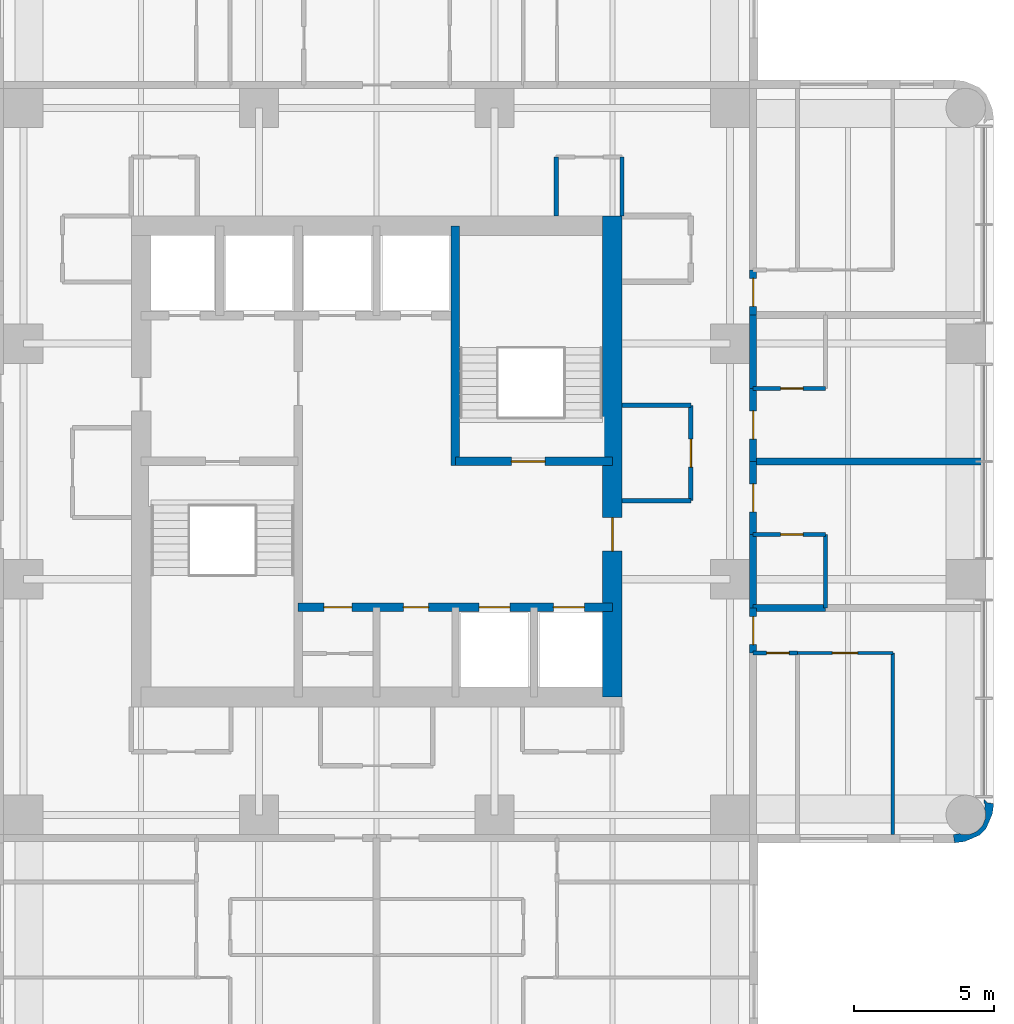
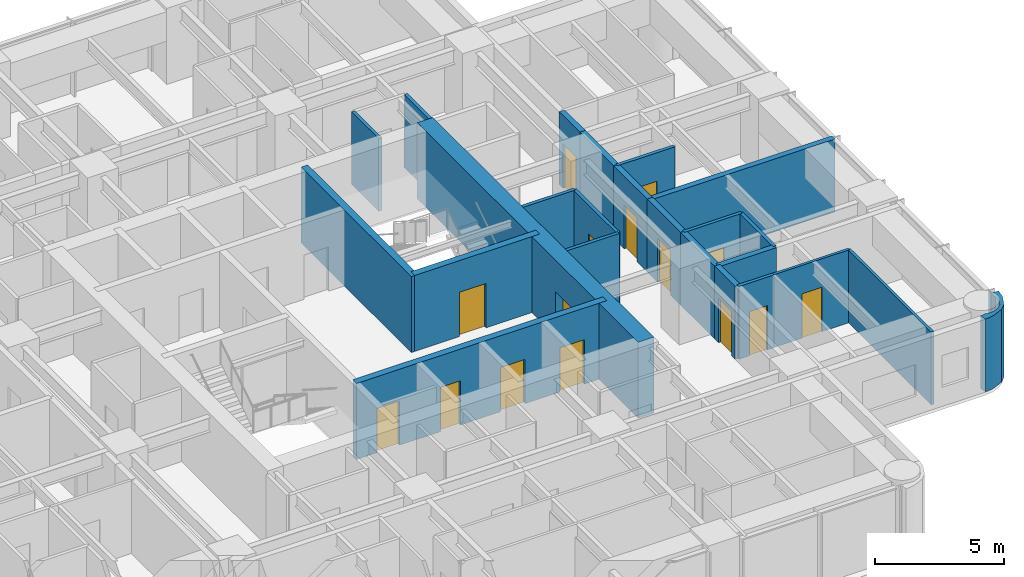
# One storey, part 8 of 12: 24 walls, 15 doors, 15 openings.
"""IFC4 building model written with IfcOpenShell, lengths in metres."""

from ifc_helpers import new_model, si_unit, direction, frame, frame_2d, origin, place, context, subcontext, project, spatial, polyline, rectangle, outline, extrude, material, layer, layer_set, type_object, element, fill, save


model = new_model("IFC4")

# Units and contexts
model_context = context("Model", 3, precision=1e-05, world=origin(), true_north=direction((0.0, 1.0)))
body_context = subcontext(model_context, "Body", "Model", "MODEL_VIEW")
ifc_project = project(units=[si_unit("LENGTHUNIT", "METRE"), si_unit("AREAUNIT", "SQUARE_METRE"), si_unit("VOLUMEUNIT", "CUBIC_METRE"), si_unit("PLANEANGLEUNIT", "RADIAN"), si_unit("MASSUNIT", "GRAM", prefix="KILO")], contexts=[model_context])

# Site, building, storey
site_placement = place(None, origin())
site = spatial("IfcSite", under=ifc_project, at=site_placement, CompositionType="ELEMENT")
building_placement = place(site_placement, origin())
building = spatial("IfcBuilding", under=site, at=building_placement, Name="Torre Alcanfor", CompositionType="ELEMENT")
storey_placement = place(building_placement, frame((0.0, 0.0, 226.5)))
storey = spatial("IfcBuildingStorey", under=building, at=storey_placement, Name="L59", CompositionType="ELEMENT", Elevation=226.5)

# Wall, opening, door
ifc_material_1 = material(Name="Concrete block masonry, hollow blocks NMX-C-404 9 MPa", Category="masonry")
ifc_layer_1 = layer(ifc_material_1, 0.25)
ifc_layer_set_1 = layer_set([ifc_layer_1], Name="Apartment entrance wall 250 EI 60")
wall_type_1 = type_object("IfcWallType", Name="Apartment entrance wall 250 EI 60", PredefinedType="PARTITIONING", material=ifc_layer_set_1)
wall_1_placement = place(storey_placement, frame((42.824951171875, 32.0, 0.0), z_axis=(0.0, 0.0, 1.0), x_axis=(0.0, -1.0, 0.0)))
wall_1 = element("IfcWall", 1, at=wall_1_placement, inside=storey, type_object=wall_type_1, Name="Partition L59-CORR / L59-E1A-STUDIO", PredefinedType="PARTITIONING", context=body_context, shape_type="SweptSolid", body=[
    extrude(rectangle(XDim=2.60009765625, YDim=0.25, at=frame_2d((1.300048828125, 0.0))), origin(), (0.0, 0.0, 1.0), 3.449951171875),
])
opening_1_placement = place(wall_1_placement, frame((0.800048828125, 0.0, 0.0)))
opening_1 = element("IfcOpeningElement", 2, at=opening_1_placement, cuts=wall_1, Name="Opening D-A1", PredefinedType="OPENING", context=body_context, shape_type="SweptSolid", body=[
    extrude(rectangle(XDim=1.0, YDim=2.10009765625, at=frame_2d((0.5, 1.050048828125))), frame((0.0, 0.135009765625, 0.0), z_axis=(0.0, -1.0, 0.0), x_axis=(1.0, 0.0, 0.0)), (0.0, 0.0, 1.0), 0.27001953125),
])
ifc_material_2 = material(Name="Galvanised steel sheet ASTM A653", Category="steel")
door_type_1 = type_object("IfcDoorType", Name="Apartment entrance door FD60 1000x2100", OperationType="SINGLE_SWING_LEFT", PredefinedType="DOOR", material=ifc_material_2)
door_1_placement = place(opening_1_placement, origin())
door_1 = element("IfcDoor", 3, at=door_1_placement, inside=storey, type_object=door_type_1, Name="Apartment entrance L59-E1A", OperationType="SINGLE_SWING_LEFT", OverallHeight=2.10009765625, OverallWidth=1.0, PredefinedType="DOOR", context=body_context, shape_type="SweptSolid", body=[
    extrude(rectangle(XDim=1.0, YDim=2.10009765625, at=frame_2d((0.5, 1.050048828125))), frame((0.0, 0.02490234375, 0.0), z_axis=(0.0, -1.0, 0.0), x_axis=(1.0, 0.0, 0.0)), (0.0, 0.0, 1.0), 0.050048828125),
])
fill(opening_1, door_1)

# Wall
wall_2_placement = place(storey_placement, frame((42.824951171875, 34.62890625, 0.0), z_axis=(0.0, 0.0, 1.0), x_axis=(0.0, -1.0, 0.0)))
element("IfcWall", 4, at=wall_2_placement, inside=storey, type_object=wall_type_1, Name="Partition L59-CORR / L59-E1A-BATH", PredefinedType="PARTITIONING", context=body_context, shape_type="SweptSolid", body=[
    extrude(rectangle(XDim=2.62890625, YDim=0.25, at=frame_2d((1.314453125, 0.0))), origin(), (0.0, 0.0, 1.0), 3.449951171875),
])

# Wall, opening, door
wall_3_placement = place(storey_placement, frame((42.824951171875, 36.22900390625, 0.0), z_axis=(0.0, 0.0, 1.0), x_axis=(0.0, -1.0, 0.0)))
wall_3 = element("IfcWall", 5, at=wall_3_placement, inside=storey, type_object=wall_type_1, Name="Partition L59-CORR / L59-E1B-LIVING", PredefinedType="PARTITIONING", context=body_context, shape_type="SweptSolid", body=[
    extrude(rectangle(XDim=1.60009765625, YDim=0.25, at=frame_2d((0.800048828125, 0.0))), origin(), (0.0, 0.0, 1.0), 3.449951171875),
])
opening_2_placement = place(wall_3_placement, frame((0.300048828125, 0.0, 0.0)))
opening_2 = element("IfcOpeningElement", 6, at=opening_2_placement, cuts=wall_3, Name="Opening D-A1", PredefinedType="OPENING", context=body_context, shape_type="SweptSolid", body=[
    extrude(rectangle(XDim=1.0, YDim=2.10009765625, at=frame_2d((0.5, 1.050048828125))), frame((0.0, 0.135009765625, 0.0), z_axis=(0.0, -1.0, 0.0), x_axis=(1.0, 0.0, 0.0)), (0.0, 0.0, 1.0), 0.27001953125),
])
door_2_placement = place(opening_2_placement, origin())
door_2 = element("IfcDoor", 7, at=door_2_placement, inside=storey, type_object=door_type_1, Name="Apartment entrance L59-E1B", OperationType="SINGLE_SWING_LEFT", OverallHeight=2.10009765625, OverallWidth=1.0, PredefinedType="DOOR", context=body_context, shape_type="SweptSolid", body=[
    extrude(rectangle(XDim=1.0, YDim=2.10009765625, at=frame_2d((0.5, 1.050048828125))), frame((0.0, 0.02490234375, 0.0), z_axis=(0.0, -1.0, 0.0), x_axis=(1.0, 0.0, 0.0)), (0.0, 0.0, 1.0), 0.050048828125),
])
fill(opening_2, door_2)

wall_4_placement = place(storey_placement, frame((42.824951171875, 29.39990234375, 0.0), z_axis=(0.0, 0.0, 1.0), x_axis=(0.0, -1.0, 0.0)))
wall_4 = element("IfcWall", 8, at=wall_4_placement, inside=storey, type_object=wall_type_1, Name="Partition L59-CORR / L59-E2A-STUDIO", PredefinedType="PARTITIONING", context=body_context, shape_type="SweptSolid", body=[
    extrude(rectangle(XDim=2.599853515625, YDim=0.25, at=frame_2d((1.2998046875, 0.0))), origin(), (0.0, 0.0, 1.0), 3.449951171875),
])
opening_3_placement = place(wall_4_placement, frame((0.800048828125, 0.0, 0.0)))
opening_3 = element("IfcOpeningElement", 9, at=opening_3_placement, cuts=wall_4, Name="Opening D-A1", PredefinedType="OPENING", context=body_context, shape_type="SweptSolid", body=[
    extrude(rectangle(XDim=1.0, YDim=2.10009765625, at=frame_2d((0.5, 1.050048828125))), frame((0.0, 0.135009765625, 0.0), z_axis=(0.0, -1.0, 0.0), x_axis=(1.0, 0.0, 0.0)), (0.0, 0.0, 1.0), 0.27001953125),
])
door_3_placement = place(opening_3_placement, origin())
door_3 = element("IfcDoor", 10, at=door_3_placement, inside=storey, type_object=door_type_1, Name="Apartment entrance L59-E2A", OperationType="SINGLE_SWING_LEFT", OverallHeight=2.10009765625, OverallWidth=1.0, PredefinedType="DOOR", context=body_context, shape_type="SweptSolid", body=[
    extrude(rectangle(XDim=1.0, YDim=2.10009765625, at=frame_2d((0.5, 1.050048828125))), frame((0.0, 0.02490234375, 0.0), z_axis=(0.0, -1.0, 0.0), x_axis=(1.0, 0.0, 0.0)), (0.0, 0.0, 1.0), 0.050048828125),
])
fill(opening_3, door_3)

# Wall
wall_5_placement = place(storey_placement, frame((42.824951171875, 26.800048828125, 0.0), z_axis=(0.0, 0.0, 1.0), x_axis=(0.0, -1.0, 0.0)))
element("IfcWall", 11, at=wall_5_placement, inside=storey, type_object=wall_type_1, Name="Partition L59-CORR / L59-E2A-BATH", PredefinedType="PARTITIONING", context=body_context, shape_type="SweptSolid", body=[
    extrude(rectangle(XDim=2.629150390625, YDim=0.25, at=frame_2d((1.314453125, 0.0))), origin(), (0.0, 0.0, 1.0), 3.449951171875),
])

# Wall, opening, door
wall_6_placement = place(storey_placement, frame((42.824951171875, 24.1708984375, 0.0), z_axis=(0.0, 0.0, 1.0), x_axis=(0.0, -1.0, 0.0)))
wall_6 = element("IfcWall", 12, at=wall_6_placement, inside=storey, type_object=wall_type_1, Name="Partition L59-CORR / L59-E2B-LIVING", PredefinedType="PARTITIONING", context=body_context, shape_type="SweptSolid", body=[
    extrude(rectangle(XDim=1.599853515625, YDim=0.25, at=frame_2d((0.7998046875, 0.0))), origin(), (0.0, 0.0, 1.0), 3.449951171875),
])
opening_4_placement = place(wall_6_placement, frame((0.300048828125, 0.0, 0.0)))
opening_4 = element("IfcOpeningElement", 13, at=opening_4_placement, cuts=wall_6, Name="Opening D-A1", PredefinedType="OPENING", context=body_context, shape_type="SweptSolid", body=[
    extrude(rectangle(XDim=1.0, YDim=2.10009765625, at=frame_2d((0.5, 1.050048828125))), frame((0.0, 0.135009765625, 0.0), z_axis=(0.0, -1.0, 0.0), x_axis=(1.0, 0.0, 0.0)), (0.0, 0.0, 1.0), 0.27001953125),
])
door_4_placement = place(opening_4_placement, origin())
door_4 = element("IfcDoor", 14, at=door_4_placement, inside=storey, type_object=door_type_1, Name="Apartment entrance L59-E2B", OperationType="SINGLE_SWING_LEFT", OverallHeight=2.10009765625, OverallWidth=1.0, PredefinedType="DOOR", context=body_context, shape_type="SweptSolid", body=[
    extrude(rectangle(XDim=1.0, YDim=2.10009765625, at=frame_2d((0.5, 1.050048828125))), frame((0.0, 0.02490234375, 0.0), z_axis=(0.0, -1.0, 0.0), x_axis=(1.0, 0.0, 0.0)), (0.0, 0.0, 1.0), 0.050048828125),
])
fill(opening_4, door_4)

# Wall
ifc_material_3 = material(Name="Gypsum board on steel studs", Category="steel")
ifc_layer_2 = layer(ifc_material_3, 0.1201171875)
ifc_layer_set_2 = layer_set([ifc_layer_2], Name="Apartment partition 120")
wall_type_2 = type_object("IfcWallType", Name="Apartment partition 120", PredefinedType="PARTITIONING", material=ifc_layer_set_2)
wall_7_placement = place(storey_placement, frame((47.800048828125, 16.10009765625, 0.0), z_axis=(0.0, 0.0, 1.0), x_axis=(0.0, 1.0, 0.0)))
element("IfcWall", 15, at=wall_7_placement, inside=storey, type_object=wall_type_2, Name="Partition L59-E2B-LIVING / L59-E2B-MASTER", PredefinedType="PARTITIONING", context=body_context, shape_type="SweptSolid", body=[
    extrude(rectangle(XDim=6.470947265625, YDim=0.1201171875, at=frame_2d((3.2353515625, 0.0))), origin(), (0.0, 0.0, 1.0), 3.449951171875),
])

# Wall, opening, door
wall_8_placement = place(storey_placement, frame((47.800048828125, 22.571044921875, 0.0), z_axis=(0.0, 0.0, 1.0), x_axis=(-1.0, 0.0, 0.0)))
wall_8 = element("IfcWall", 16, at=wall_8_placement, inside=storey, type_object=wall_type_2, Name="Partition L59-E2B-LIVING / L59-E2B-MASTER", PredefinedType="PARTITIONING", context=body_context, shape_type="SweptSolid", body=[
    extrude(rectangle(XDim=3.400146484375, YDim=0.1201171875, at=frame_2d((1.7001953125, 0.0))), origin(), (0.0, 0.0, 1.0), 3.449951171875),
])
opening_5_placement = place(wall_8_placement, frame((1.25, 0.0, 0.0)))
opening_5 = element("IfcOpeningElement", 17, at=opening_5_placement, cuts=wall_8, Name="Opening D-R1", PredefinedType="OPENING", context=body_context, shape_type="SweptSolid", body=[
    extrude(rectangle(XDim=0.89990234375, YDim=2.10009765625, at=frame_2d((0.449951171875, 1.050048828125))), frame((0.0, 0.070068359375, 0.0), z_axis=(0.0, -1.0, 0.0), x_axis=(1.0, 0.0, 0.0)), (0.0, 0.0, 1.0), 0.14013671875),
])
ifc_material_4 = material(Name="Timber", Category="wood")
door_type_2 = type_object("IfcDoorType", Name="Internal door 900x2100", OperationType="SINGLE_SWING_LEFT", PredefinedType="DOOR", material=ifc_material_4)
door_5_placement = place(opening_5_placement, origin())
door_5 = element("IfcDoor", 18, at=door_5_placement, inside=storey, type_object=door_type_2, Name="Door L59-E2B master", OperationType="SINGLE_SWING_LEFT", OverallHeight=2.10009765625, OverallWidth=0.89990234375, PredefinedType="DOOR", context=body_context, shape_type="SweptSolid", body=[
    extrude(rectangle(XDim=0.89990234375, YDim=2.10009765625, at=frame_2d((0.449951171875, 1.050048828125))), frame((0.0, 0.02490234375, 0.0), z_axis=(0.0, -1.0, 0.0), x_axis=(1.0, 0.0, 0.0)), (0.0, 0.0, 1.0), 0.050048828125),
])
fill(opening_5, door_5)

# Wall, openings, doors
ifc_material_5 = material(Name="Concrete f'c 70 MPa", Category="concrete")
ifc_layer_3 = layer(ifc_material_5, 0.300048828125)
ifc_layer_set_3 = layer_set([ifc_layer_3], Name="Core inner wall 300 f'c70")
wall_type_3 = type_object("IfcWallType", Name="Core inner wall 300 f'c70", PredefinedType="SHEAR", material=ifc_layer_set_3)
wall_9_placement = place(storey_placement, frame((26.60009765625, 24.199951171875, 0.0), z_axis=(0.0, 0.0, 1.0), x_axis=(1.0, 0.0, 0.0)))
wall_9 = element("IfcWall", 19, at=wall_9_placement, inside=storey, type_object=wall_type_3, Name="Core wall Y242 L59", PredefinedType="SHEAR", context=body_context, shape_type="SweptSolid", body=[
    extrude(rectangle(XDim=11.199951171875, YDim=0.300048828125, at=frame_2d((5.60009765625, 0.0))), origin(), (0.0, 0.0, 1.0), 3.60009765625),
])
opening_6_placement = place(wall_9_placement, frame((0.91259765625, 0.0, 0.0)))
opening_6 = element("IfcOpeningElement", 20, at=opening_6_placement, cuts=wall_9, Name="Opening D-K1", PredefinedType="OPENING", context=body_context, shape_type="SweptSolid", body=[
    extrude(rectangle(XDim=1.0, YDim=2.10009765625, at=frame_2d((0.5, 1.050048828125))), frame((0.0, 0.159912109375, 0.0), z_axis=(0.0, -1.0, 0.0), x_axis=(1.0, 0.0, 0.0)), (0.0, 0.0, 1.0), 0.320068359375),
])
opening_7_placement = place(wall_9_placement, frame((3.75, 0.0, 0.0)))
opening_7 = element("IfcOpeningElement", 21, at=opening_7_placement, cuts=wall_9, Name="Opening D-Q1", PredefinedType="OPENING", context=body_context, shape_type="SweptSolid", body=[
    extrude(rectangle(XDim=0.89990234375, YDim=2.10009765625, at=frame_2d((0.449951171875, 1.050048828125))), frame((0.0, 0.159912109375, 0.0), z_axis=(0.0, -1.0, 0.0), x_axis=(1.0, 0.0, 0.0)), (0.0, 0.0, 1.0), 0.320068359375),
])
opening_8_placement = place(wall_9_placement, frame((6.449951171875, 0.0, 0.0)))
opening_8 = element("IfcOpeningElement", 22, at=opening_8_placement, cuts=wall_9, Name="Opening LD1", PredefinedType="OPENING", context=body_context, shape_type="SweptSolid", body=[
    extrude(rectangle(XDim=1.10009765625, YDim=2.10009765625, at=frame_2d((0.550048828125, 1.050048828125))), frame((0.0, 0.159912109375, 0.0), z_axis=(0.0, -1.0, 0.0), x_axis=(1.0, 0.0, 0.0)), (0.0, 0.0, 1.0), 0.320068359375),
])
opening_9_placement = place(wall_9_placement, frame((9.10009765625, 0.0, 0.0)))
opening_9 = element("IfcOpeningElement", 23, at=opening_9_placement, cuts=wall_9, Name="Opening LD1", PredefinedType="OPENING", context=body_context, shape_type="SweptSolid", body=[
    extrude(rectangle(XDim=1.10009765625, YDim=2.10009765625, at=frame_2d((0.550048828125, 1.050048828125))), frame((0.0, 0.159912109375, 0.0), z_axis=(0.0, -1.0, 0.0), x_axis=(1.0, 0.0, 0.0)), (0.0, 0.0, 1.0), 0.320068359375),
])
ifc_material_6 = material(Name="Galvanised steel sheet ASTM A653", Category="steel")
door_type_3 = type_object("IfcDoorType", Name="Core room door FD60 1000x2100", OperationType="SINGLE_SWING_LEFT", PredefinedType="DOOR", material=ifc_material_6)
door_6_placement = place(opening_6_placement, frame((1.0, 0.0, 0.0), z_axis=(0.0, 0.0, 1.0), x_axis=(-1.0, 0.0, 0.0)))
door_6 = element("IfcDoor", 24, at=door_6_placement, inside=storey, type_object=door_type_3, Name="Residents' storage door L59", OperationType="SINGLE_SWING_RIGHT", OverallHeight=2.10009765625, OverallWidth=1.0, PredefinedType="DOOR", context=body_context, shape_type="SweptSolid", body=[
    extrude(rectangle(XDim=1.0, YDim=2.10009765625, at=frame_2d((0.5, 1.050048828125))), frame((0.0, 0.025146484375, 0.0), z_axis=(0.0, -1.0, 0.0), x_axis=(1.0, 0.0, 0.0)), (0.0, 0.0, 1.0), 0.050048828125),
])
fill(opening_6, door_6)
ifc_material_7 = material(Name="Galvanised steel sheet ASTM A653", Category="steel")
door_type_4 = type_object("IfcDoorType", Name="Lift landing door 1100x2100", OperationType="DOUBLE_DOOR_SLIDING", PredefinedType="DOOR", material=ifc_material_7)
door_7_placement = place(opening_8_placement, origin())
door_7 = element("IfcDoor", 25, at=door_7_placement, inside=storey, type_object=door_type_4, Name="Lift landing door PA3 L59", OperationType="DOUBLE_DOOR_SLIDING", OverallHeight=2.10009765625, OverallWidth=1.10009765625, PredefinedType="DOOR", context=body_context, shape_type="SweptSolid", body=[
    extrude(rectangle(XDim=1.10009765625, YDim=2.10009765625, at=frame_2d((0.550048828125, 1.050048828125))), frame((0.0, 0.02490234375, 0.0), z_axis=(0.0, -1.0, 0.0), x_axis=(1.0, 0.0, 0.0)), (0.0, 0.0, 1.0), 0.050048828125),
])
fill(opening_8, door_7)
door_8_placement = place(opening_9_placement, origin())
door_8 = element("IfcDoor", 26, at=door_8_placement, inside=storey, type_object=door_type_4, Name="Lift landing door PA4 L59", OperationType="DOUBLE_DOOR_SLIDING", OverallHeight=2.10009765625, OverallWidth=1.10009765625, PredefinedType="DOOR", context=body_context, shape_type="SweptSolid", body=[
    extrude(rectangle(XDim=1.10009765625, YDim=2.10009765625, at=frame_2d((0.550048828125, 1.050048828125))), frame((0.0, 0.02490234375, 0.0), z_axis=(0.0, -1.0, 0.0), x_axis=(1.0, 0.0, 0.0)), (0.0, 0.0, 1.0), 0.050048828125),
])
fill(opening_9, door_8)
ifc_material_8 = material(Name="Galvanised steel sheet ASTM A653", Category="steel")
door_type_5 = type_object("IfcDoorType", Name="Riser access door FD120 900x2100", OperationType="SINGLE_SWING_LEFT", PredefinedType="DOOR", material=ifc_material_8)
door_9_placement = place(opening_7_placement, frame((0.89990234375, 0.0, 0.0), z_axis=(0.0, 0.0, 1.0), x_axis=(-1.0, 0.0, 0.0)))
door_9 = element("IfcDoor", 27, at=door_9_placement, inside=storey, type_object=door_type_5, Name="Riser door L59", OperationType="SINGLE_SWING_RIGHT", OverallHeight=2.10009765625, OverallWidth=0.89990234375, PredefinedType="DOOR", context=body_context, shape_type="SweptSolid", body=[
    extrude(rectangle(XDim=0.89990234375, YDim=2.10009765625, at=frame_2d((0.449951171875, 1.050048828125))), frame((0.0, 0.025146484375, 0.0), z_axis=(0.0, -1.0, 0.0), x_axis=(1.0, 0.0, 0.0)), (0.0, 0.0, 1.0), 0.050048828125),
])
fill(opening_7, door_9)

# Wall
wall_10_placement = place(storey_placement, frame((32.199951171875, 29.25, 0.0), z_axis=(0.0, 0.0, 1.0), x_axis=(0.0, 1.0, 0.0)))
element("IfcWall", 28, at=wall_10_placement, inside=storey, type_object=wall_type_3, Name="Core wall X322N L59", PredefinedType="SHEAR", context=body_context, shape_type="SweptSolid", body=[
    extrude(rectangle(XDim=8.550048828125, YDim=0.300048828125, at=frame_2d((4.27490234375, 0.0))), origin(), (0.0, 0.0, 1.0), 3.60009765625),
])

# Wall, opening, door
wall_11_placement = place(storey_placement, frame((32.199951171875, 29.39990234375, 0.0), z_axis=(0.0, 0.0, 1.0), x_axis=(1.0, 0.0, 0.0)))
wall_11 = element("IfcWall", 29, at=wall_11_placement, inside=storey, type_object=wall_type_3, Name="Core wall Y294E L59", PredefinedType="SHEAR", context=body_context, shape_type="SweptSolid", body=[
    extrude(rectangle(XDim=5.60009765625, YDim=0.300048828125, at=frame_2d((2.800048828125, 0.0))), origin(), (0.0, 0.0, 1.0), 3.60009765625),
])
opening_10_placement = place(wall_11_placement, frame((2.0, 0.0, 0.0)))
opening_10 = element("IfcOpeningElement", 30, at=opening_10_placement, cuts=wall_11, Name="Opening D-S2", PredefinedType="OPENING", context=body_context, shape_type="SweptSolid", body=[
    extrude(rectangle(XDim=1.199951171875, YDim=2.10009765625, at=frame_2d((0.60009765625, 1.050048828125))), frame((0.0, 0.159912109375, 0.0), z_axis=(0.0, -1.0, 0.0), x_axis=(1.0, 0.0, 0.0)), (0.0, 0.0, 1.0), 0.320068359375),
])
ifc_material_9 = material(Name="Galvanised steel sheet ASTM A653", Category="steel")
door_type_6 = type_object("IfcDoorType", Name="Stair enclosure door FD120 1200x2100", OperationType="SINGLE_SWING_LEFT", PredefinedType="DOOR", material=ifc_material_9)
door_10_placement = place(opening_10_placement, origin())
door_10 = element("IfcDoor", 31, at=door_10_placement, inside=storey, type_object=door_type_6, Name="Stair S2 door L59", OperationType="SINGLE_SWING_LEFT", OverallHeight=2.10009765625, OverallWidth=1.199951171875, PredefinedType="DOOR", context=body_context, shape_type="SweptSolid", body=[
    extrude(rectangle(XDim=1.199951171875, YDim=2.10009765625, at=frame_2d((0.60009765625, 1.050048828125))), frame((0.0, 0.02490234375, 0.0), z_axis=(0.0, -1.0, 0.0), x_axis=(1.0, 0.0, 0.0)), (0.0, 0.0, 1.0), 0.050048828125),
])
fill(opening_10, door_10)

ifc_material_10 = material(Name="Concrete f'c 70 MPa", Category="concrete")
ifc_layer_4 = layer(ifc_material_10, 0.699951171875)
ifc_layer_set_4 = layer_set([ifc_layer_4], Name="Core wall 700 f'c70")
wall_type_4 = type_object("IfcWallType", Name="Core wall 700 f'c70", PredefinedType="SHEAR", material=ifc_layer_set_4)
wall_12_placement = place(storey_placement, frame((37.800048828125, 21.0, 0.0), z_axis=(0.0, 0.0, 1.0), x_axis=(0.0, 1.0, 0.0)))
wall_12 = element("IfcWall", 32, at=wall_12_placement, inside=storey, type_object=wall_type_4, Name="Core wall OUT-E L59", PredefinedType="SHEAR", context=body_context, shape_type="SweptSolid", body=[
    extrude(rectangle(XDim=17.14990234375, YDim=0.699951171875, at=frame_2d((8.574951171875, 0.0))), origin(), (0.0, 0.0, 1.0), 3.60009765625),
])
opening_11_placement = place(wall_12_placement, frame((5.199951171875, 0.0, 0.0)))
opening_11 = element("IfcOpeningElement", 33, at=opening_11_placement, cuts=wall_12, Name="Opening D-L1", PredefinedType="OPENING", context=body_context, shape_type="SweptSolid", body=[
    extrude(rectangle(XDim=1.199951171875, YDim=2.10009765625, at=frame_2d((0.60009765625, 1.050048828125))), frame((0.0, 0.35986328125, 0.0), z_axis=(0.0, -1.0, 0.0), x_axis=(1.0, 0.0, 0.0)), (0.0, 0.0, 1.0), 0.719970703125),
])
ifc_material_11 = material(Name="Galvanised steel sheet ASTM A653", Category="steel")
door_type_7 = type_object("IfcDoorType", Name="Lobby door FD120 1200x2100", OperationType="SINGLE_SWING_LEFT", PredefinedType="DOOR", material=ifc_material_11)
door_11_placement = place(opening_11_placement, origin())
door_11 = element("IfcDoor", 34, at=door_11_placement, inside=storey, type_object=door_type_7, Name="Lift lobby entrance door L59", OperationType="SINGLE_SWING_LEFT", OverallHeight=2.10009765625, OverallWidth=1.199951171875, PredefinedType="DOOR", context=body_context, shape_type="SweptSolid", body=[
    extrude(rectangle(XDim=1.199951171875, YDim=2.10009765625, at=frame_2d((0.60009765625, 1.050048828125))), frame((0.0, 0.02490234375, 0.0), z_axis=(0.0, -1.0, 0.0), x_axis=(1.0, 0.0, 0.0)), (0.0, 0.0, 1.0), 0.050048828125),
])
fill(opening_11, door_11)

# Walls
ifc_material_12 = material(Name="Concrete block masonry, hollow blocks NMX-C-404 9 MPa", Category="masonry")
ifc_layer_5 = layer(ifc_material_12, 0.25)
ifc_layer_set_5 = layer_set([ifc_layer_5], Name="Party wall 250 EI 60")
wall_type_5 = type_object("IfcWallType", Name="Party wall 250 EI 60", PredefinedType="PARTITIONING", material=ifc_layer_set_5)
wall_13_placement = place(storey_placement, frame((51.050048828125, 29.39990234375, 0.0), z_axis=(0.0, 0.0, 1.0), x_axis=(-1.0, 0.0, 0.0)))
element("IfcWall", 35, at=wall_13_placement, inside=storey, type_object=wall_type_5, Name="Partition L59-E1A-STUDIO / L59-E2A-STUDIO", PredefinedType="PARTITIONING", context=body_context, shape_type="SweptSolid", body=[
    extrude(rectangle(XDim=8.22509765625, YDim=0.25, at=frame_2d((4.112548828125, 0.0))), origin(), (0.0, 0.0, 1.0), 3.449951171875),
])
wall_14_placement = place(storey_placement, frame((45.39990234375, 24.1708984375, 0.0), z_axis=(0.0, 0.0, 1.0), x_axis=(-1.0, 0.0, 0.0)))
element("IfcWall", 36, at=wall_14_placement, inside=storey, type_object=wall_type_5, Name="Partition L59-E2A-BATH / L59-E2B-LIVING", PredefinedType="PARTITIONING", context=body_context, shape_type="SweptSolid", body=[
    extrude(rectangle(XDim=2.574951171875, YDim=0.25, at=frame_2d((1.28759765625, 0.0))), origin(), (0.0, 0.0, 1.0), 3.449951171875),
])
ifc_material_13 = material(Name="Concrete block masonry, hollow blocks NMX-C-404 9 MPa", Category="masonry")
ifc_layer_6 = layer(ifc_material_13, 0.14990234375)
ifc_layer_set_6 = layer_set([ifc_layer_6], Name="Residents' room partition 150")
wall_type_6 = type_object("IfcWallType", Name="Residents' room partition 150", PredefinedType="PARTITIONING", material=ifc_layer_set_6)
for number, where, z_axis, x_axis, name in (
    (37, (38.14990234375, 38.14990234375, 0.0), (0.0, 0.0, 1.0), (0.0, 1.0, 0.0), "Partition L59-CORR / L59-G02"),
    (38, (35.800048828125, 40.25, 0.0), (0.0, 0.0, 1.0), (0.0, -1.0, 0.0), "Partition L59-CORR / L59-G02"),
):
    element("IfcWall", number, at=place(storey_placement, frame(where, z_axis=z_axis, x_axis=x_axis)), inside=storey, type_object=wall_type_6, Name=name, PredefinedType="PARTITIONING", context=body_context, shape_type="SweptSolid", body=[
        extrude(rectangle(XDim=2.10009765625, YDim=0.14990234375, at=frame_2d((1.050048828125, 0.0))), origin(), (0.0, 0.0, 1.0), 3.449951171875),
    ])
wall_15_placement = place(storey_placement, frame((38.14990234375, 28.0, 0.0), z_axis=(0.0, 0.0, 1.0), x_axis=(1.0, 0.0, 0.0)))
element("IfcWall", 39, at=wall_15_placement, inside=storey, type_object=wall_type_6, Name="Partition L59-CORR / L59-G03", PredefinedType="PARTITIONING", context=body_context, shape_type="SweptSolid", body=[
    extrude(rectangle(XDim=2.4501953125, YDim=0.14990234375, at=frame_2d((1.22509765625, 0.0))), origin(), (0.0, 0.0, 1.0), 3.449951171875),
])

# Wall, opening, door
wall_16_placement = place(storey_placement, frame((40.60009765625, 28.0, 0.0), z_axis=(0.0, 0.0, 1.0), x_axis=(0.0, 1.0, 0.0)))
wall_16 = element("IfcWall", 40, at=wall_16_placement, inside=storey, type_object=wall_type_6, Name="Partition L59-CORR / L59-G03", PredefinedType="PARTITIONING", context=body_context, shape_type="SweptSolid", body=[
    extrude(rectangle(XDim=3.39990234375, YDim=0.14990234375, at=frame_2d((1.699951171875, 0.0))), origin(), (0.0, 0.0, 1.0), 3.449951171875),
])
opening_12_placement = place(wall_16_placement, frame((1.199951171875, 0.0, 0.0)))
opening_12 = element("IfcOpeningElement", 41, at=opening_12_placement, cuts=wall_16, Name="Opening D-M1", PredefinedType="OPENING", context=body_context, shape_type="SweptSolid", body=[
    extrude(rectangle(XDim=1.0, YDim=2.10009765625, at=frame_2d((0.5, 1.050048828125))), frame((0.0, 0.0849609375, 0.0), z_axis=(0.0, -1.0, 0.0), x_axis=(1.0, 0.0, 0.0)), (0.0, 0.0, 1.0), 0.169921875),
])
ifc_material_14 = material(Name="Timber", Category="wood")
door_type_8 = type_object("IfcDoorType", Name="Residents' room door 1000x2100", OperationType="SINGLE_SWING_LEFT", PredefinedType="DOOR", material=ifc_material_14)
door_12_placement = place(opening_12_placement, origin())
door_12 = element("IfcDoor", 42, at=door_12_placement, inside=storey, type_object=door_type_8, Name="Door L59-G03 linen store", OperationType="SINGLE_SWING_LEFT", OverallHeight=2.10009765625, OverallWidth=1.0, PredefinedType="DOOR", context=body_context, shape_type="SweptSolid", body=[
    extrude(rectangle(XDim=1.0, YDim=2.10009765625, at=frame_2d((0.5, 1.050048828125))), frame((0.0, 0.02490234375, 0.0), z_axis=(0.0, -1.0, 0.0), x_axis=(1.0, 0.0, 0.0)), (0.0, 0.0, 1.0), 0.050048828125),
])
fill(opening_12, door_12)

# Walls
wall_17_placement = place(storey_placement, frame((40.60009765625, 31.39990234375, 0.0), z_axis=(0.0, 0.0, 1.0), x_axis=(-1.0, 0.0, 0.0)))
element("IfcWall", 43, at=wall_17_placement, inside=storey, type_object=wall_type_6, Name="Partition L59-CORR / L59-G03", PredefinedType="PARTITIONING", context=body_context, shape_type="SweptSolid", body=[
    extrude(rectangle(XDim=2.4501953125, YDim=0.14990234375, at=frame_2d((1.22509765625, 0.0))), origin(), (0.0, 0.0, 1.0), 3.449951171875),
])
ifc_material_15 = material(Name="Limestone cladding", Category="masonry")
ifc_layer_7 = layer(ifc_material_15, 0.0400390625, Name="Facing")
ifc_material_16 = material(Name="Ventilated air cavity")
ifc_layer_8 = layer(ifc_material_16, 0.02001953125, ventilated=True, Name="Ventilated joint")
ifc_material_17 = material(Name="Mineral wool insulation", Category="insulation")
ifc_layer_9 = layer(ifc_material_17, 0.10009765625, Name="Insulation")
ifc_material_18 = material(Name="Concrete f'c 35 MPa", Category="concrete")
ifc_layer_10 = layer(ifc_material_18, 0.139892578125, Name="Backing")
ifc_layer_set_7 = layer_set([ifc_layer_7, ifc_layer_8, ifc_layer_9, ifc_layer_10], Name="Rounded corner pier stone-clad 300")
wall_type_7 = type_object("IfcWallType", Name="Rounded corner pier stone-clad 300", PredefinedType="SOLIDWALL", material=ifc_layer_set_7)
wall_18_placement = place(storey_placement, frame((50.110315272, 16.075788181, 0.0), z_axis=(0.0, 0.0, 1.0), x_axis=(0.898030234854, -0.439933741929, 0.0)))
element("IfcWall", 44, at=wall_18_placement, inside=storey, type_object=wall_type_7, Name="Corner pier L59 17", PredefinedType="SOLIDWALL", context=body_context, shape_type="SweptSolid", body=[
    extrude(outline(polyline([(0.6635309497954787, 1.5768652207279077), (0.4261657470939745, 1.4970125439527688), (0.3820436753027886, 1.5360230024769612), (0.27620863417053443, 1.5722591508431565), (0.3493519149941243, 1.422952854472101), (0.3918855735785366, 1.4437895600224335), (0.45340193240181437, 1.2610574190776962), (0.5097761390474591, 1.211465523288862), (0.6324334469777668, 0.961086976364126), (0.6500435101724213, 0.6826272661031227), (0.5595694134864071, 0.41891221165833237), (0.3749822839006132, 0.2096814391710166), (0.12460373697587725, 0.08702413124070879), (0.0497715019894753, 0.08217265535453251), (-0.12751990672054841, -0.03540062823065235), (-0.14527880540785457, -0.04410048982640973), (0.02224059568510124, -0.2961536862237746), (0.3266570480405287, -0.09401072508638375), (0.5683303343389906, 0.18015912102175058), (0.5774346974139304, 0.19875607730145015), (0.6998664144502319, 0.3373020629515939), (0.8106998188665876, 0.6610135622172228), (0.7988778263184556, 0.8455257731096697), (0.8030824189706058, 0.8658003288507671), (0.7801681024384324, 1.230560545874389), (0.6635309497954787, 1.5768652207279077)])), origin(), (0.0, 0.0, 1.0), 3.449951171875),
])

# Wall, opening, door
ifc_material_19 = material(Name="Cement board on steel studs", Category="steel")
ifc_layer_11 = layer(ifc_material_19, 0.14990234375)
ifc_layer_set_8 = layer_set([ifc_layer_11], Name="Wet area partition 150")
wall_type_8 = type_object("IfcWallType", Name="Wet area partition 150", PredefinedType="PARTITIONING", material=ifc_layer_set_8)
wall_19_placement = place(storey_placement, frame((42.824951171875, 32.0, 0.0), z_axis=(0.0, 0.0, 1.0), x_axis=(1.0, 0.0, 0.0)))
wall_19 = element("IfcWall", 45, at=wall_19_placement, inside=storey, type_object=wall_type_8, Name="Partition L59-E1A-STUDIO / L59-E1A-BATH", PredefinedType="PARTITIONING", context=body_context, shape_type="SweptSolid", body=[
    extrude(rectangle(XDim=2.574951171875, YDim=0.14990234375, at=frame_2d((1.28759765625, 0.0))), origin(), (0.0, 0.0, 1.0), 3.449951171875),
])
opening_13_placement = place(wall_19_placement, frame((0.97509765625, 0.0, 0.0)))
opening_13 = element("IfcOpeningElement", 46, at=opening_13_placement, cuts=wall_19, Name="Opening D-R2", PredefinedType="OPENING", context=body_context, shape_type="SweptSolid", body=[
    extrude(rectangle(XDim=0.800048828125, YDim=2.10009765625, at=frame_2d((0.39990234375, 1.050048828125))), frame((0.0, 0.0849609375, 0.0), z_axis=(0.0, -1.0, 0.0), x_axis=(1.0, 0.0, 0.0)), (0.0, 0.0, 1.0), 0.169921875),
])
ifc_material_20 = material(Name="Timber", Category="wood")
door_type_9 = type_object("IfcDoorType", Name="Bathroom door 800x2100", OperationType="SINGLE_SWING_LEFT", PredefinedType="DOOR", material=ifc_material_20)
door_13_placement = place(opening_13_placement, origin())
door_13 = element("IfcDoor", 47, at=door_13_placement, inside=storey, type_object=door_type_9, Name="Door L59-E1A bath", OperationType="SINGLE_SWING_RIGHT", OverallHeight=2.10009765625, OverallWidth=0.800048828125, PredefinedType="DOOR", context=body_context, shape_type="SweptSolid", body=[
    extrude(rectangle(XDim=0.800048828125, YDim=2.10009765625, at=frame_2d((0.39990234375, 1.050048828125))), frame((0.0, 0.02490234375, 0.0), z_axis=(0.0, -1.0, 0.0), x_axis=(1.0, 0.0, 0.0)), (0.0, 0.0, 1.0), 0.050048828125),
])
fill(opening_13, door_13)

# Wall
wall_20_placement = place(storey_placement, frame((45.39990234375, 24.1708984375, 0.0), z_axis=(0.0, 0.0, 1.0), x_axis=(0.0, 1.0, 0.0)))
element("IfcWall", 48, at=wall_20_placement, inside=storey, type_object=wall_type_8, Name="Partition L59-E2A-STUDIO / L59-E2A-BATH", PredefinedType="PARTITIONING", context=body_context, shape_type="SweptSolid", body=[
    extrude(rectangle(XDim=2.629150390625, YDim=0.14990234375, at=frame_2d((1.314453125, 0.0))), origin(), (0.0, 0.0, 1.0), 3.449951171875),
])

# Wall, opening, door
wall_21_placement = place(storey_placement, frame((45.39990234375, 26.800048828125, 0.0), z_axis=(0.0, 0.0, 1.0), x_axis=(-1.0, 0.0, 0.0)))
wall_21 = element("IfcWall", 49, at=wall_21_placement, inside=storey, type_object=wall_type_8, Name="Partition L59-E2A-STUDIO / L59-E2A-BATH", PredefinedType="PARTITIONING", context=body_context, shape_type="SweptSolid", body=[
    extrude(rectangle(XDim=2.574951171875, YDim=0.14990234375, at=frame_2d((1.28759765625, 0.0))), origin(), (0.0, 0.0, 1.0), 3.449951171875),
])
opening_14_placement = place(wall_21_placement, frame((0.800048828125, 0.0, 0.0)))
opening_14 = element("IfcOpeningElement", 50, at=opening_14_placement, cuts=wall_21, Name="Opening D-R2", PredefinedType="OPENING", context=body_context, shape_type="SweptSolid", body=[
    extrude(rectangle(XDim=0.800048828125, YDim=2.10009765625, at=frame_2d((0.39990234375, 1.050048828125))), frame((0.0, 0.0849609375, 0.0), z_axis=(0.0, -1.0, 0.0), x_axis=(1.0, 0.0, 0.0)), (0.0, 0.0, 1.0), 0.169921875),
])
door_14_placement = place(opening_14_placement, origin())
door_14 = element("IfcDoor", 51, at=door_14_placement, inside=storey, type_object=door_type_9, Name="Door L59-E2A bath", OperationType="SINGLE_SWING_LEFT", OverallHeight=2.10009765625, OverallWidth=0.800048828125, PredefinedType="DOOR", context=body_context, shape_type="SweptSolid", body=[
    extrude(rectangle(XDim=0.800048828125, YDim=2.10009765625, at=frame_2d((0.39990234375, 1.050048828125))), frame((0.0, 0.02490234375, 0.0), z_axis=(0.0, -1.0, 0.0), x_axis=(1.0, 0.0, 0.0)), (0.0, 0.0, 1.0), 0.050048828125),
])
fill(opening_14, door_14)

wall_22_placement = place(storey_placement, frame((44.39990234375, 22.571044921875, 0.0), z_axis=(0.0, 0.0, 1.0), x_axis=(-1.0, 0.0, 0.0)))
wall_22 = element("IfcWall", 52, at=wall_22_placement, inside=storey, type_object=wall_type_8, Name="Partition L59-E2B-LIVING / L59-E2B-BATH", PredefinedType="PARTITIONING", context=body_context, shape_type="SweptSolid", body=[
    extrude(rectangle(XDim=1.574951171875, YDim=0.14990234375, at=frame_2d((0.78759765625, 0.0))), origin(), (0.0, 0.0, 1.0), 3.449951171875),
])
opening_15_placement = place(wall_22_placement, frame((0.300048828125, 0.0, 0.0)))
opening_15 = element("IfcOpeningElement", 53, at=opening_15_placement, cuts=wall_22, Name="Opening D-R2", PredefinedType="OPENING", context=body_context, shape_type="SweptSolid", body=[
    extrude(rectangle(XDim=0.800048828125, YDim=2.10009765625, at=frame_2d((0.39990234375, 1.050048828125))), frame((0.0, 0.0849609375, 0.0), z_axis=(0.0, -1.0, 0.0), x_axis=(1.0, 0.0, 0.0)), (0.0, 0.0, 1.0), 0.169921875),
])
door_15_placement = place(opening_15_placement, origin())
door_15 = element("IfcDoor", 54, at=door_15_placement, inside=storey, type_object=door_type_9, Name="Door L59-E2B bath", OperationType="SINGLE_SWING_LEFT", OverallHeight=2.10009765625, OverallWidth=0.800048828125, PredefinedType="DOOR", context=body_context, shape_type="SweptSolid", body=[
    extrude(rectangle(XDim=0.800048828125, YDim=2.10009765625, at=frame_2d((0.39990234375, 1.050048828125))), frame((0.0, 0.02490234375, 0.0), z_axis=(0.0, -1.0, 0.0), x_axis=(1.0, 0.0, 0.0)), (0.0, 0.0, 1.0), 0.050048828125),
])
fill(opening_15, door_15)

save(model, "model.ifc")
